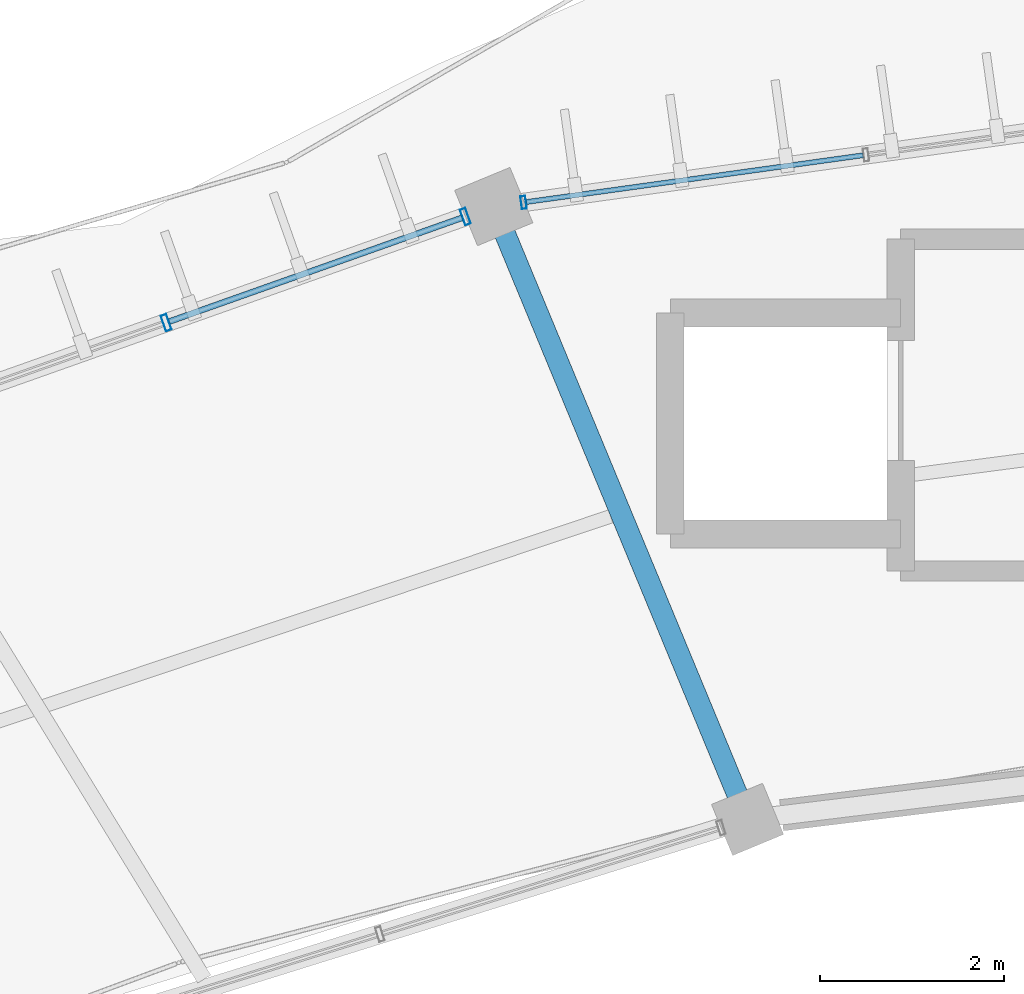
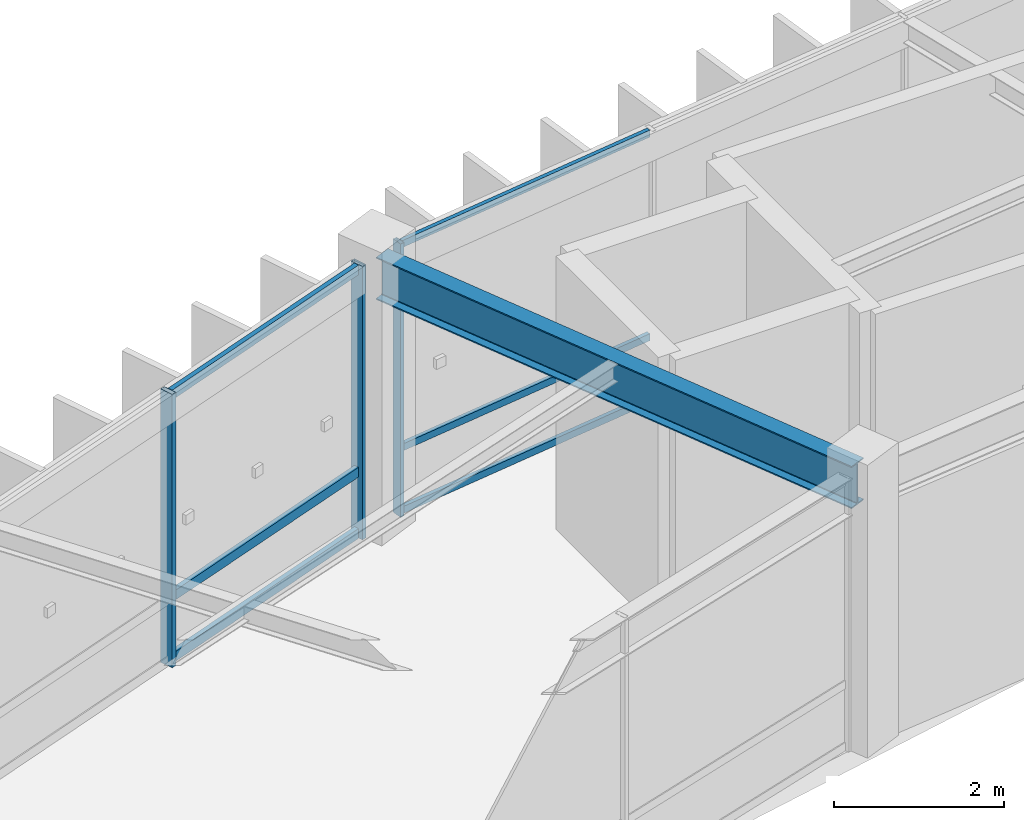
# One storey, part 59 of 114: 9 members, 1 beam, 2 elements without a shape of their own.
"""IFC4 building model written with IfcOpenShell, lengths in metres."""

import ifcopenshell
import ifcopenshell.guid

model = None  # the IFC model being written
_history = None  # IfcOwnerHistory: only IFC2X3 demands one
_inside = {}  # id of a spatial element -> (the spatial element, [elements in it])
_under = {}  # id of a project, library or spatial element -> (it, [spatial elements below it])
_declared = {}  # id of a project -> (the project, [libraries it declares])
_typed = {}  # id of a type object -> (the type object, [elements of that type])
_made_of = {}  # id of a material, layer set ... -> (it, [elements and type objects made of it])


def new_model(schema):
    """Start an empty IFC model of exactly this schema.

    Asked for "IFC4X3", IfcOpenShell would pick the latest addendum, in which some entities
    have other attributes; the version numbers below select the first issue.
    IFC2X3 requires an IfcOwnerHistory on every rooted entity: one is made here for all.
    """
    global model, _history
    if schema == "IFC4X3":
        model = ifcopenshell.file(schema_version=(4, 3, 0, 0))
    else:
        model = ifcopenshell.file(schema=schema)
    _inside.clear()
    _under.clear()
    _declared.clear()
    _typed.clear()
    _made_of.clear()
    _history = None
    if model.schema == "IFC2X3":
        org = make("IfcOrganization", Name="unknown")
        user = make(
            "IfcPersonAndOrganization",
            ThePerson=make("IfcPerson", FamilyName="unknown"),
            TheOrganization=org,
        )
        app = make(
            "IfcApplication",
            ApplicationDeveloper=org,
            Version="unknown",
            ApplicationFullName="unknown",
            ApplicationIdentifier="unknown",
        )
        _history = make(
            "IfcOwnerHistory",
            OwningUser=user,
            OwningApplication=app,
            ChangeAction="ADDED",
            CreationDate=0,
        )
    return model


def make(cls, **values):
    """One entity of the class cls with the attributes given. An attribute that is None is left unset."""
    return model.create_entity(
        cls, **{name: value for name, value in values.items() if value is not None}
    )


def rooted(cls, **values):
    """An entity with a GlobalId (a new one), such as an element, a storey or a relation."""
    return make(cls, GlobalId=ifcopenshell.guid.new(), OwnerHistory=_history, **values)


def si_unit(unit_type, name, prefix=None):
    """IfcSIUnit, for example si_unit("LENGTHUNIT", "METRE", prefix="MILLI")."""
    return make("IfcSIUnit", UnitType=unit_type, Prefix=prefix, Name=name)


def assignment(units):
    """IfcUnitAssignment: the units of a project."""
    return None if units is None else make("IfcUnitAssignment", Units=units)


def point(xyz):
    """IfcCartesianPoint."""
    return None if xyz is None else make("IfcCartesianPoint", Coordinates=xyz)


def direction(xyz):
    """IfcDirection."""
    return None if xyz is None else make("IfcDirection", DirectionRatios=xyz)


def frame(location, z_axis=None, x_axis=None):
    """IfcAxis2Placement3D, a coordinate frame: its origin and axes. An axis left out is left unset."""
    return make(
        "IfcAxis2Placement3D",
        Location=point(location),
        Axis=direction(z_axis),
        RefDirection=direction(x_axis),
    )


def frame_2d(location, x_axis=None):
    """IfcAxis2Placement2D, a coordinate frame in the plane: its origin and x axis."""
    return make(
        "IfcAxis2Placement2D", Location=point(location), RefDirection=direction(x_axis)
    )


def origin():
    """The frame at (0, 0, 0) with its axes left unset."""
    return frame((0.0, 0.0, 0.0))


def origin_2d():
    """The frame at (0, 0) in the plane with its x axis left unset."""
    return frame_2d((0.0, 0.0))


def place(relative_to, where):
    """IfcLocalPlacement: puts the frame where relative to a parent placement (None: the world)."""
    return make(
        "IfcLocalPlacement", PlacementRelTo=relative_to, RelativePlacement=where
    )


def context(
    kind, dimensions, precision=None, world=None, true_north=None, identifier=None
):
    """IfcGeometricRepresentationContext, for example the 3D "Model" context."""
    return make(
        "IfcGeometricRepresentationContext",
        ContextIdentifier=identifier,
        ContextType=kind,
        CoordinateSpaceDimension=dimensions,
        Precision=precision,
        WorldCoordinateSystem=world,
        TrueNorth=true_north,
    )


def subcontext(parent, identifier, kind, view, scale=None):
    """IfcGeometricRepresentationSubContext, for example "Body" below "Model"."""
    return make(
        "IfcGeometricRepresentationSubContext",
        ContextIdentifier=identifier,
        ContextType=kind,
        ParentContext=parent,
        TargetScale=scale,
        TargetView=view,
    )


def project(units=None, contexts=None):
    """IfcProject with its units and contexts."""
    return rooted(
        "IfcProject",
        Name="project",
        RepresentationContexts=contexts,
        UnitsInContext=assignment(units),
    )


def spatial(cls, under=None, at=None, **own):
    """A site, building, storey or space (cls), placed at a placement, below another one or the project."""
    s = rooted(cls, ObjectPlacement=at, **own)
    if under is not None:
        _under.setdefault(under.id(), (under, []))[1].append(s)
    return s


def profile(cls, at=None, kind="AREA", **sizes):
    """A parametric profile (cls). Its sizes go by their IFC names, for example OverallWidth=200.0."""
    return make(cls, ProfileType=kind, Position=at, **sizes)


def hollow_rectangle(**sizes):
    """IfcRectangleHollowProfileDef."""
    return profile("IfcRectangleHollowProfileDef", **sizes)


def i_section(**sizes):
    """IfcIShapeProfileDef."""
    return profile("IfcIShapeProfileDef", **sizes)


def extrude(swept, where, along, depth):
    """IfcExtrudedAreaSolid: the profile swept, set in the frame where, extruded along a direction by depth."""
    return make(
        "IfcExtrudedAreaSolid",
        SweptArea=swept,
        Position=where,
        ExtrudedDirection=direction(along),
        Depth=depth,
    )


def shape(context_of_items, identifier, shape_type, items):
    """IfcShapeRepresentation: the items that make up one representation, for example the "Body"."""
    return make(
        "IfcShapeRepresentation",
        ContextOfItems=context_of_items,
        RepresentationIdentifier=identifier,
        RepresentationType=shape_type,
        Items=items,
    )


def material(Name=None, Category=None):
    """IfcMaterial."""
    return make("IfcMaterial", Name=Name, Category=Category)


def material_profile(
    of_material, cross_section, Name=None, Category=None, Priority=None
):
    """IfcMaterialProfile: a cross section and its material."""
    return make(
        "IfcMaterialProfile",
        Name=Name,
        Material=of_material,
        Profile=cross_section,
        Priority=Priority,
        Category=Category,
    )


def profile_set(profiles, Name=None, composite=None):
    """IfcMaterialProfileSet."""
    return make(
        "IfcMaterialProfileSet",
        Name=Name,
        MaterialProfiles=profiles,
        CompositeProfile=composite,
    )


def made_of(thing, what):
    """Note that an element or type object is made of a material, layer set ...; save() writes the relation."""
    if what is not None:
        _made_of.setdefault(what.id(), (what, []))[1].append(thing)
    return thing


def type_object(cls, material=None, **own):
    """A type object (cls), such as IfcWallType, which elements share."""
    return made_of(rooted(cls, **own), material)


def element(
    cls,
    number,
    at=None,
    inside=None,
    cuts=None,
    type_object=None,
    material=None,
    context=None,
    identifier="Body",
    shape_type=None,
    held_by="IfcProductDefinitionShape",
    body=None,
    shapes=None,
    **own,
):
    """One element of the class cls, such as IfcWall. Its Tag is "e" and its number.

    at: its placement. inside: the storey or other place that contains it. cuts: it is an
    opening in that element (IfcRelVoidsElement). A single representation is given by context,
    identifier, shape_type and body (its items); several are given by shapes. held_by: the class
    of the entity that holds the representations. save() writes the other relations.
    """
    e = rooted(cls, Tag="e%d" % number, ObjectPlacement=at, **own)
    if body is not None:
        shapes = [shape(context, identifier, shape_type, body)]
    if shapes is not None:
        e.Representation = make(held_by, Representations=shapes)
    if inside is not None:
        _inside.setdefault(inside.id(), (inside, []))[1].append(e)
    if cuts is not None:
        rooted(
            "IfcRelVoidsElement", RelatingBuildingElement=cuts, RelatedOpeningElement=e
        )
    if type_object is not None:
        _typed.setdefault(type_object.id(), (type_object, []))[1].append(e)
    return made_of(e, material)


def aggregate(whole, parts):
    """IfcRelAggregates: a whole, such as a stair, and the parts it consists of."""
    return rooted("IfcRelAggregates", RelatingObject=whole, RelatedObjects=parts)


def save(model, path):
    """Write the relations noted so far, then the file.

    IfcRelAggregates (storeys below a building ...), IfcRelContainedInSpatialStructure (elements
    in a storey), IfcRelDefinesByType, IfcRelAssociatesMaterial and IfcRelDeclares: one each for
    every whole, place, type object, material and project.
    """
    for whole, parts in _under.values():
        aggregate(whole, parts)
    for where, things in _inside.values():
        rooted(
            "IfcRelContainedInSpatialStructure",
            RelatedElements=things,
            RelatingStructure=where,
        )
    for kind, things in _typed.values():
        rooted("IfcRelDefinesByType", RelatedObjects=things, RelatingType=kind)
    for what, things in _made_of.values():
        rooted("IfcRelAssociatesMaterial", RelatedObjects=things, RelatingMaterial=what)
    for by, libraries in _declared.values():
        rooted("IfcRelDeclares", RelatingContext=by, RelatedDefinitions=libraries)
    model.write(path)


model = new_model("IFC4")

# Units and contexts
model_context = context("Model", 3, precision=1e-05, world=origin(), true_north=direction((0.0, 1.0)))
body_context = subcontext(model_context, "Body", "Model", "MODEL_VIEW")
ifc_project = project(units=[si_unit("LENGTHUNIT", "METRE"), si_unit("AREAUNIT", "SQUARE_METRE"), si_unit("VOLUMEUNIT", "CUBIC_METRE"), si_unit("PLANEANGLEUNIT", "RADIAN"), si_unit("MASSUNIT", "GRAM", prefix="KILO"), si_unit("THERMODYNAMICTEMPERATUREUNIT", "KELVIN"), si_unit("POWERUNIT", "WATT")], contexts=[model_context])

# Site, building, storey
site_placement = place(None, origin())
site = spatial("IfcSite", under=ifc_project, at=site_placement, CompositionType="ELEMENT")
building_placement = place(site_placement, origin())
building = spatial("IfcBuilding", under=site, at=building_placement, Name="Darbajah Civic Hall", CompositionType="ELEMENT")
storey_placement = place(building_placement, frame((0.0, 0.0, 13.800048828125)))
storey = spatial("IfcBuildingStorey", under=building, at=storey_placement, Name="L03", CompositionType="ELEMENT", Elevation=13.800048828125)

# Curtain wall, member
ifc_material_1 = material(Name="Anodised Bronze Aluminium and Low-E Glazing", Category="aluminium")
curtain_wall_type_1 = type_object("IfcCurtainWallType", Name="Unitised Curtain Wall CW-42 15000x3900", PredefinedType="USERDEFINED", material=ifc_material_1)
curtain_wall_1_placement = place(storey_placement, origin())
curtain_wall_1 = element("IfcCurtainWall", 1, at=curtain_wall_1_placement, inside=storey, type_object=curtain_wall_type_1, Name="L03 unitised curtain wall CW-V1O-L03-05", ObjectType="UNITISED CURTAIN WALL", PredefinedType="USERDEFINED")
ifc_material_2 = material(Name="Anodised Bronze Aluminium", Category="aluminium")
ifc_material_profile_1 = material_profile(ifc_material_2, hollow_rectangle(XDim=0.054931640625, YDim=0.139892578125, WallThickness=0.003173828125, at=origin_2d()), Name="ALU MULLION 55x140")
ifc_profile_set_1 = profile_set([ifc_material_profile_1], Name="Anodised Bronze Aluminium")
member_type_1 = type_object("IfcMemberType", Name="ALU MULLION 55x140", PredefinedType="MULLION", material=ifc_profile_set_1)
member_1_placement = place(storey_placement, frame((69.906982421875, 117.099365234375, 0.0), z_axis=(0.0, 0.0, 1.0), x_axis=(-0.990485459553, -0.137617420457, 0.0)))
member_1 = element("IfcMember", 2, at=member_1_placement, type_object=member_type_1, Name="CW-V1O-L03-05 mullion 5", PredefinedType="MULLION", context=body_context, shape_type="SweptSolid", body=[
    extrude(hollow_rectangle(XDim=0.054931640625, YDim=0.139892578125, WallThickness=0.003173828125, at=origin_2d()), origin(), (0.0, 0.0, 1.0), 3.919921875),
])

# Curtain wall, members
curtain_wall_type_2 = type_object("IfcCurtainWallType", Name="Unitised Curtain Wall CW-57 13800x3900", PredefinedType="USERDEFINED", material=ifc_material_1)
curtain_wall_2_placement = place(storey_placement, origin())
curtain_wall_2 = element("IfcCurtainWall", 3, at=curtain_wall_2_placement, inside=storey, type_object=curtain_wall_type_2, Name="L03 unitised curtain wall CW-V1O-L03-06", ObjectType="UNITISED CURTAIN WALL", PredefinedType="USERDEFINED")
ifc_material_profile_2 = material_profile(ifc_material_2, hollow_rectangle(XDim=0.06494140625, YDim=0.179931640625, WallThickness=0.00390625, at=origin_2d()), Name="ALU MULLION 65x180")
ifc_profile_set_2 = profile_set([ifc_material_profile_2], Name="Anodised Bronze Aluminium")
member_type_2 = type_object("IfcMemberType", Name="ALU MULLION 65x180", PredefinedType="MULLION", material=ifc_profile_set_2)
member_2_placement = place(storey_placement, frame((69.27490234375, 116.9453125, 0.0), z_axis=(0.0, 0.0, 1.0), x_axis=(-0.94252491309, -0.334135882844, 0.0)))
member_2 = element("IfcMember", 4, at=member_2_placement, type_object=member_type_2, Name="CW-V1O-L03-06 mullion 1", PredefinedType="MULLION", context=body_context, shape_type="SweptSolid", body=[
    extrude(hollow_rectangle(XDim=0.06494140625, YDim=0.179931640625, WallThickness=0.00390625, at=origin_2d()), origin(), (0.0, 0.0, 1.0), 3.919921875),
])
member_3_placement = place(storey_placement, frame((66.027587890625, 115.794189453125, 0.0), z_axis=(0.0, 0.0, 1.0), x_axis=(-0.94252491309, -0.334135882844, 0.0)))
member_3 = element("IfcMember", 5, at=member_3_placement, type_object=member_type_2, Name="CW-V1O-L03-06 mullion 2", PredefinedType="MULLION", context=body_context, shape_type="SweptSolid", body=[
    extrude(hollow_rectangle(XDim=0.06494140625, YDim=0.179931640625, WallThickness=0.00390625, at=origin_2d()), origin(), (0.0, 0.0, 1.0), 3.919921875),
])

# Member
ifc_material_profile_3 = material_profile(ifc_material_2, hollow_rectangle(XDim=0.054931640625, YDim=0.10009765625, WallThickness=0.0029296875, at=origin_2d()), Name="ALU TRANSOM 55x100")
ifc_profile_set_3 = profile_set([ifc_material_profile_3], Name="Anodised Bronze Aluminium")
member_type_3 = type_object("IfcMemberType", Name="ALU TRANSOM 55x100", PredefinedType="USERDEFINED", material=ifc_profile_set_3)
member_4_placement = place(storey_placement, frame((73.591796875, 117.611083984375, 0.050048828125), z_axis=(-0.990500540811, -0.137508831179, 0.0), x_axis=(0.137508831179, -0.990500540811, 0.0)))
member_4 = element("IfcMember", 6, at=member_4_placement, type_object=member_type_3, Name="CW-V1O-L03-05 transom 4.1", ObjectType="TRANSOM", PredefinedType="USERDEFINED", context=body_context, shape_type="SweptSolid", body=[
    extrude(hollow_rectangle(XDim=0.054931640625, YDim=0.10009765625, WallThickness=0.0029296875, at=origin_2d()), origin(), (0.0, 0.0, 1.0), 3.6875),
])

member_5_placement = place(storey_placement, frame((73.591796875, 117.611083984375, 0.949951171875), z_axis=(-0.990500540811, -0.137508831179, 0.0), x_axis=(0.137508831179, -0.990500540811, 0.0)))
member_5 = element("IfcMember", 7, at=member_5_placement, type_object=member_type_3, Name="CW-V1O-L03-05 transom 4.2", ObjectType="TRANSOM", PredefinedType="USERDEFINED", context=body_context, shape_type="SweptSolid", body=[
    extrude(hollow_rectangle(XDim=0.054931640625, YDim=0.10009765625, WallThickness=0.0029296875, at=origin_2d()), origin(), (0.0, 0.0, 1.0), 3.6875),
])

member_6_placement = place(storey_placement, frame((73.591796875, 117.611083984375, 3.869873046875), z_axis=(-0.990500540811, -0.137508831179, 0.0), x_axis=(0.137508831179, -0.990500540811, 0.0)))
member_6 = element("IfcMember", 8, at=member_6_placement, type_object=member_type_3, Name="CW-V1O-L03-05 transom 4.3", ObjectType="TRANSOM", PredefinedType="USERDEFINED", context=body_context, shape_type="SweptSolid", body=[
    extrude(hollow_rectangle(XDim=0.054931640625, YDim=0.10009765625, WallThickness=0.0029296875, at=origin_2d()), origin(), (0.0, 0.0, 1.0), 3.6875),
])

aggregate(curtain_wall_1, [member_1, member_4, member_5, member_6])

ifc_material_profile_4 = material_profile(ifc_material_2, hollow_rectangle(XDim=0.06494140625, YDim=0.139892578125, WallThickness=0.00341796875, at=origin_2d()), Name="ALU TRANSOM 65x140")
ifc_profile_set_4 = profile_set([ifc_material_profile_4], Name="Anodised Bronze Aluminium")
member_type_4 = type_object("IfcMemberType", Name="ALU TRANSOM 65x140", PredefinedType="USERDEFINED", material=ifc_profile_set_4)
member_7_placement = place(storey_placement, frame((69.239501953125, 116.9326171875, 0.070068359375), z_axis=(-0.942537428341, -0.334100577935, 0.0), x_axis=(0.334100577935, -0.942537428341, 0.0)))
member_7 = element("IfcMember", 9, at=member_7_placement, type_object=member_type_4, Name="CW-V1O-L03-06 transom 1.1", ObjectType="TRANSOM", PredefinedType="USERDEFINED", context=body_context, shape_type="SweptSolid", body=[
    extrude(hollow_rectangle(XDim=0.06494140625, YDim=0.139892578125, WallThickness=0.00341796875, at=origin_2d()), origin(), (0.0, 0.0, 1.0), 3.3701171875),
])

member_8_placement = place(storey_placement, frame((69.239501953125, 116.9326171875, 0.949951171875), z_axis=(-0.942537428341, -0.334100577935, 0.0), x_axis=(0.334100577935, -0.942537428341, 0.0)))
member_8 = element("IfcMember", 10, at=member_8_placement, type_object=member_type_4, Name="CW-V1O-L03-06 transom 1.2", ObjectType="TRANSOM", PredefinedType="USERDEFINED", context=body_context, shape_type="SweptSolid", body=[
    extrude(hollow_rectangle(XDim=0.06494140625, YDim=0.139892578125, WallThickness=0.00341796875, at=origin_2d()), origin(), (0.0, 0.0, 1.0), 3.3701171875),
])

member_9_placement = place(storey_placement, frame((69.239501953125, 116.9326171875, 3.849853515625), z_axis=(-0.942537428341, -0.334100577935, 0.0), x_axis=(0.334100577935, -0.942537428341, 0.0)))
member_9 = element("IfcMember", 11, at=member_9_placement, type_object=member_type_4, Name="CW-V1O-L03-06 transom 1.3", ObjectType="TRANSOM", PredefinedType="USERDEFINED", context=body_context, shape_type="SweptSolid", body=[
    extrude(hollow_rectangle(XDim=0.06494140625, YDim=0.139892578125, WallThickness=0.00341796875, at=origin_2d()), origin(), (0.0, 0.0, 1.0), 3.3701171875),
])

aggregate(curtain_wall_2, [member_2, member_3, member_7, member_8, member_9])

# Beam
ifc_material_3 = material(Name="Steel S355JR", Category="steel")
ifc_material_profile_5 = material_profile(ifc_material_3, i_section(OverallWidth=0.228271484375, OverallDepth=0.607666015625, WebThickness=0.010986328125, FlangeThickness=0.017333984375, FilletRadius=0.0126953125, at=origin_2d()), Name="UB 610x229x113")
ifc_profile_set_5 = profile_set([ifc_material_profile_5], Name="Steel S355JR")
beam_type = type_object("IfcBeamType", Name="UB 610x229x113", PredefinedType="BEAM", material=ifc_profile_set_5)
beam_placement = place(storey_placement, frame((72.307861328125, 110.476318359375, 3.6162109375), z_axis=(-0.382681552297, 0.923880311259, 0.0), x_axis=(-0.923880311259, -0.382681552297, 0.0)))
element("IfcBeam", 12, at=beam_placement, inside=storey, type_object=beam_type, Name="L03 beam SB-610", PredefinedType="BEAM", context=body_context, shape_type="SweptSolid", body=[
    extrude(i_section(OverallWidth=0.228271484375, OverallDepth=0.607666015625, WebThickness=0.010986328125, FlangeThickness=0.017333984375, FilletRadius=0.0126953125, at=origin_2d()), origin(), (0.0, 0.0, 1.0), 7.0400390625),
])

save(model, "model.ifc")
